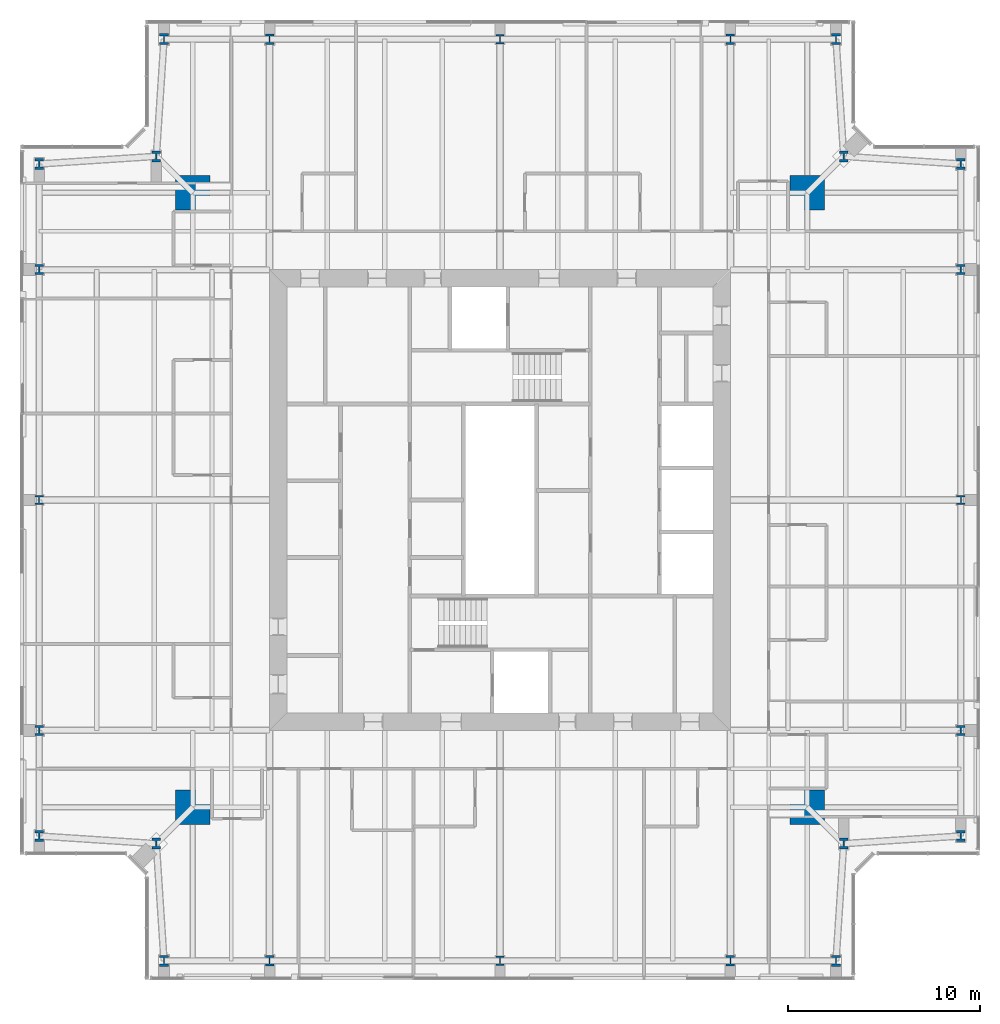
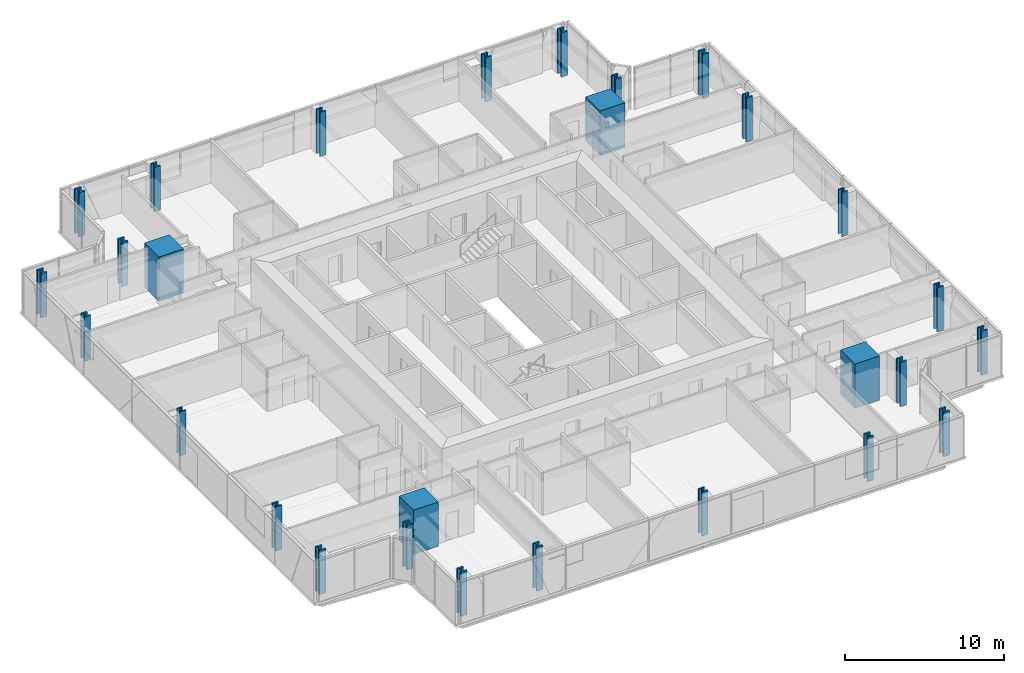
# One storey, part 1 of 19: 28 columns.
"""IFC4 building model written with IfcOpenShell, lengths in metres."""

from ifc_helpers import new_model, si_unit, direction, frame, origin, origin_2d, place, context, subcontext, project, spatial, rectangle, i_section, extrude, material, material_profile, profile_set, type_object, element, save


model = new_model("IFC4")

# Units and contexts
model_context = context("Model", 3, precision=1e-05, world=origin(), true_north=direction((0.0, 1.0)))
body_context = subcontext(model_context, "Body", "Model", "MODEL_VIEW")
ifc_project = project(units=[si_unit("LENGTHUNIT", "METRE"), si_unit("AREAUNIT", "SQUARE_METRE"), si_unit("VOLUMEUNIT", "CUBIC_METRE"), si_unit("PLANEANGLEUNIT", "RADIAN"), si_unit("MASSUNIT", "GRAM", prefix="KILO")], contexts=[model_context])

# Site, building, storey
site_placement = place(None, origin())
site = spatial("IfcSite", under=ifc_project, at=site_placement, CompositionType="ELEMENT")
building_placement = place(site_placement, origin())
building = spatial("IfcBuilding", under=site, at=building_placement, Name="Fenwick Lantern Interchange", CompositionType="ELEMENT")
storey_placement = place(building_placement, frame((0.0, 0.0, 273.0)))
storey = spatial("IfcBuildingStorey", under=building, at=storey_placement, Name="L65", CompositionType="ELEMENT", Elevation=273.0)

# Columns
ifc_material_1 = material(Name="Concrete f'c 70 MPa", Category="concrete")
ifc_material_profile_1 = material_profile(ifc_material_1, rectangle(XDim=1.800048828125, YDim=1.800048828125, at=origin_2d()), Name="RC1800X1800")
ifc_profile_set_1 = profile_set([ifc_material_profile_1], Name="Concrete f'c 70 MPa")
column_type_1 = type_object("IfcColumnType", Name="MEGA COLUMN RC1800X1800", PredefinedType="COLUMN", material=ifc_profile_set_1)
for number, where, z_axis, x_axis, name in (
    (1, (9.0, 9.0, 0.0), (0.0, 0.0, 1.0), (1.0, 0.0, 0.0), "L65/M1"),
    (2, (41.0, 9.0, 0.0), (0.0, 0.0, 1.0), (1.0, 0.0, 0.0), "L65/M2"),
    (3, (41.0, 41.0, 0.0), (0.0, 0.0, 1.0), (1.0, 0.0, 0.0), "L65/M3"),
    (4, (9.0, 41.0, 0.0), (0.0, 0.0, 1.0), (1.0, 0.0, 0.0), "L65/M4"),
):
    element("IfcColumn", number, at=place(storey_placement, frame(where, z_axis=z_axis, x_axis=x_axis)), inside=storey, type_object=column_type_1, Name=name, PredefinedType="COLUMN", context=body_context, shape_type="SweptSolid", body=[
        extrude(rectangle(XDim=1.800048828125, YDim=1.800048828125, at=origin_2d()), origin(), (0.0, 0.0, 1.0), 3.39990234375),
    ])
ifc_material_2 = material(Name="Steel ASTM A992 Grade 50", Category="steel")
ifc_material_profile_2 = material_profile(ifc_material_2, i_section(OverallWidth=0.424072265625, OverallDepth=0.47509765625, WebThickness=0.0478515625, FlangeThickness=0.0771484375, at=origin_2d()), Name="W14X426")
ifc_profile_set_2 = profile_set([ifc_material_profile_2], Name="Steel ASTM A992 Grade 50")
column_type_2 = type_object("IfcColumnType", Name="PERIMETER COLUMN W14X426", PredefinedType="COLUMN", material=ifc_profile_set_2)
for number, where, z_axis, x_axis, name in (
    (5, (25.0, 1.0, 0.0), (0.0, 0.0, 1.0), (1.0, 0.0, 0.0), "L65/CS3"),
    (6, (49.0, 25.0, 0.0), (0.0, 0.0, 1.0), (1.0, 0.0, 0.0), "L65/CE3"),
    (7, (25.0, 49.0, 0.0), (0.0, 0.0, 1.0), (1.0, 0.0, 0.0), "L65/CN3"),
    (8, (1.0, 25.0, 0.0), (0.0, 0.0, 1.0), (1.0, 0.0, 0.0), "L65/CW3"),
):
    element("IfcColumn", number, at=place(storey_placement, frame(where, z_axis=z_axis, x_axis=x_axis)), inside=storey, type_object=column_type_2, Name=name, PredefinedType="COLUMN", context=body_context, shape_type="SweptSolid", body=[
        extrude(i_section(OverallWidth=0.424072265625, OverallDepth=0.47509765625, WebThickness=0.0478515625, FlangeThickness=0.0771484375, at=origin_2d()), origin(), (0.0, 0.0, 1.0), 3.39990234375),
    ])
ifc_material_profile_3 = material_profile(ifc_material_2, i_section(OverallWidth=0.44189453125, OverallDepth=0.53076171875, WebThickness=0.06591796875, FlangeThickness=0.105712890625, at=origin_2d()), Name="W14X605")
ifc_profile_set_3 = profile_set([ifc_material_profile_3], Name="Steel ASTM A992 Grade 50")
column_type_3 = type_object("IfcColumnType", Name="PERIMETER COLUMN W14X605", PredefinedType="COLUMN", material=ifc_profile_set_3)
for number, where, z_axis, x_axis, name in (
    (9, (13.0, 1.0, 0.0), (0.0, 0.0, 1.0), (1.0, 0.0, 0.0), "L65/CS2"),
    (10, (37.0, 1.0, 0.0), (0.0, 0.0, 1.0), (1.0, 0.0, 0.0), "L65/CS4"),
    (11, (49.0, 13.0, 0.0), (0.0, 0.0, 1.0), (1.0, 0.0, 0.0), "L65/CE2"),
    (12, (49.0, 37.0, 0.0), (0.0, 0.0, 1.0), (1.0, 0.0, 0.0), "L65/CE4"),
    (13, (37.0, 49.0, 0.0), (0.0, 0.0, 1.0), (1.0, 0.0, 0.0), "L65/CN2"),
    (14, (13.0, 49.0, 0.0), (0.0, 0.0, 1.0), (1.0, 0.0, 0.0), "L65/CN4"),
    (15, (1.0, 37.0, 0.0), (0.0, 0.0, 1.0), (1.0, 0.0, 0.0), "L65/CW2"),
    (16, (1.0, 13.0, 0.0), (0.0, 0.0, 1.0), (1.0, 0.0, 0.0), "L65/CW4"),
):
    element("IfcColumn", number, at=place(storey_placement, frame(where, z_axis=z_axis, x_axis=x_axis)), inside=storey, type_object=column_type_3, Name=name, PredefinedType="COLUMN", context=body_context, shape_type="SweptSolid", body=[
        extrude(i_section(OverallWidth=0.44189453125, OverallDepth=0.53076171875, WebThickness=0.06591796875, FlangeThickness=0.105712890625, at=origin_2d()), origin(), (0.0, 0.0, 1.0), 3.39990234375),
    ])
ifc_material_profile_4 = material_profile(ifc_material_2, i_section(OverallWidth=0.45458984375, OverallDepth=0.56884765625, WebThickness=0.077880859375, FlangeThickness=0.124755859375, at=origin_2d()), Name="W14X730")
ifc_profile_set_4 = profile_set([ifc_material_profile_4], Name="Steel ASTM A992 Grade 50")
column_type_4 = type_object("IfcColumnType", Name="PERIMETER COLUMN W14X730", PredefinedType="COLUMN", material=ifc_profile_set_4)
for number, where, z_axis, x_axis, name in (
    (17, (7.5, 1.0, 0.0), (0.0, 0.0, 1.0), (1.0, 0.0, 0.0), "L65/CS1"),
    (18, (42.5, 1.0, 0.0), (0.0, 0.0, 1.0), (1.0, 0.0, 0.0), "L65/CS5"),
    (19, (42.89990234375, 7.10009765625, 0.0), (0.0, 0.0, 1.0), (1.0, 0.0, 0.0), "L65/CSR"),
    (20, (49.0, 7.5, 0.0), (0.0, 0.0, 1.0), (1.0, 0.0, 0.0), "L65/CE1"),
    (21, (49.0, 42.5, 0.0), (0.0, 0.0, 1.0), (1.0, 0.0, 0.0), "L65/CE5"),
    (22, (42.89990234375, 42.89990234375, 0.0), (0.0, 0.0, 1.0), (1.0, 0.0, 0.0), "L65/CER"),
    (23, (42.5, 49.0, 0.0), (0.0, 0.0, 1.0), (1.0, 0.0, 0.0), "L65/CN1"),
    (24, (7.5, 49.0, 0.0), (0.0, 0.0, 1.0), (1.0, 0.0, 0.0), "L65/CN5"),
    (25, (7.10009765625, 42.89990234375, 0.0), (0.0, 0.0, 1.0), (1.0, 0.0, 0.0), "L65/CNR"),
    (26, (1.0, 42.5, 0.0), (0.0, 0.0, 1.0), (1.0, 0.0, 0.0), "L65/CW1"),
    (27, (1.0, 7.5, 0.0), (0.0, 0.0, 1.0), (1.0, 0.0, 0.0), "L65/CW5"),
    (28, (7.10009765625, 7.10009765625, 0.0), (0.0, 0.0, 1.0), (1.0, 0.0, 0.0), "L65/CWR"),
):
    element("IfcColumn", number, at=place(storey_placement, frame(where, z_axis=z_axis, x_axis=x_axis)), inside=storey, type_object=column_type_4, Name=name, PredefinedType="COLUMN", context=body_context, shape_type="SweptSolid", body=[
        extrude(i_section(OverallWidth=0.45458984375, OverallDepth=0.56884765625, WebThickness=0.077880859375, FlangeThickness=0.124755859375, at=origin_2d()), origin(), (0.0, 0.0, 1.0), 3.39990234375),
    ])

save(model, "model.ifc")
